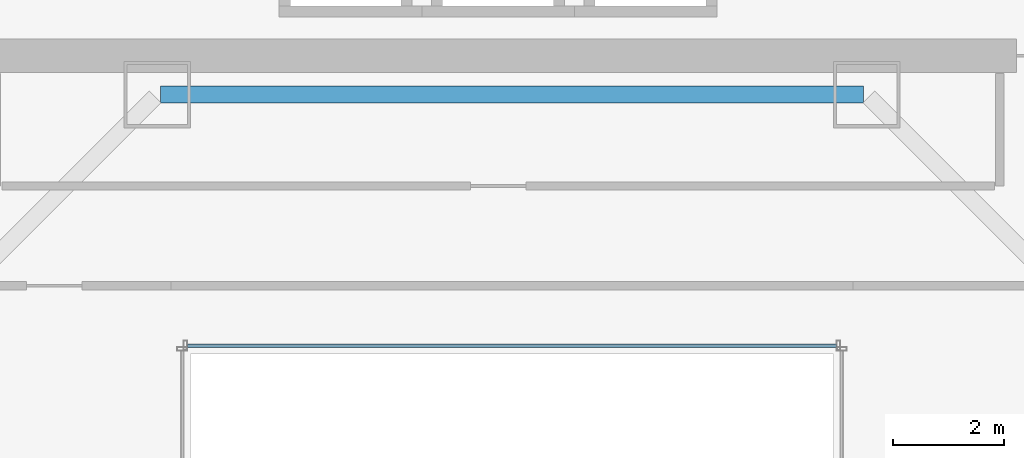
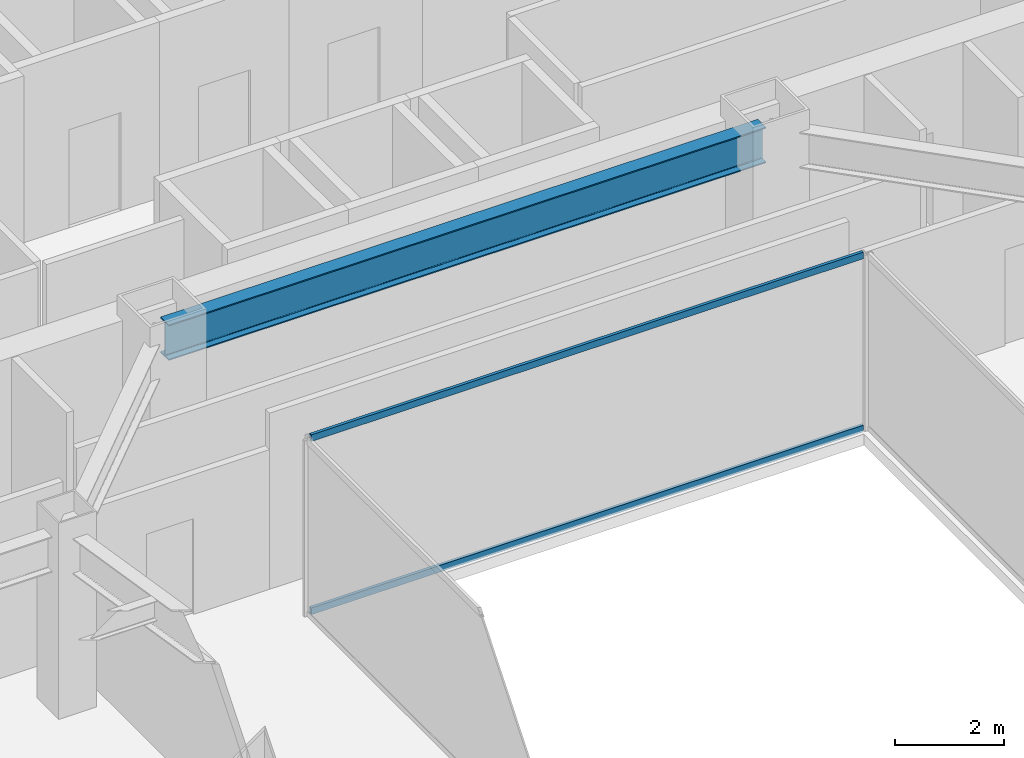
# One storey, part 25 of 47: 2 members, 1 beam, 1 element without a shape of its own.
"""IFC4 building model written with IfcOpenShell, lengths in metres."""

from ifc_helpers import new_model, si_unit, direction, frame, origin, origin_2d, place, context, subcontext, project, spatial, hollow_rectangle, i_section, extrude, material, material_profile, profile_set, type_object, element, aggregate, save


model = new_model("IFC4")

# Units and contexts
model_context = context("Model", 3, precision=1e-05, world=origin(), true_north=direction((0.0, 1.0)))
body_context = subcontext(model_context, "Body", "Model", "MODEL_VIEW")
ifc_project = project(units=[si_unit("LENGTHUNIT", "METRE"), si_unit("AREAUNIT", "SQUARE_METRE"), si_unit("VOLUMEUNIT", "CUBIC_METRE"), si_unit("PLANEANGLEUNIT", "RADIAN"), si_unit("MASSUNIT", "GRAM", prefix="KILO")], contexts=[model_context])

# Site, building, storey
site_placement = place(None, origin())
site = spatial("IfcSite", under=ifc_project, at=site_placement, CompositionType="ELEMENT")
building_placement = place(site_placement, origin())
building = spatial("IfcBuilding", under=site, at=building_placement, Name="Saevonmaru Cultural Tower", CompositionType="ELEMENT")
storey_placement = place(building_placement, frame((0.0, 0.0, 82.39990234375)))
storey = spatial("IfcBuildingStorey", under=building, at=storey_placement, Name="L17", CompositionType="ELEMENT", Elevation=82.39990234375)

# Beam
ifc_material_1 = material(Name="Steel SM420", Category="steel")
ifc_material_profile_1 = material_profile(ifc_material_1, i_section(OverallWidth=0.300048828125, OverallDepth=0.800048828125, WebThickness=0.013916015625, FlangeThickness=0.02587890625, FilletRadius=0.028076171875, at=origin_2d()), Name="H-800x300x14x26")
ifc_profile_set_1 = profile_set([ifc_material_profile_1], Name="Steel SM420")
beam_type = type_object("IfcBeamType", Name="BM-G-H800", PredefinedType="BEAM", material=ifc_profile_set_1)
beam_placement = place(storey_placement, frame((23.659912109375, 42.39990234375, 3.550048828125), z_axis=(1.0, 0.0, 0.0), x_axis=(0.0, 1.0, 0.0)))
element("IfcBeam", 1, at=beam_placement, inside=storey, type_object=beam_type, Name="L17 Core South Girder 3", PredefinedType="BEAM", context=body_context, shape_type="SweptSolid", body=[
    extrude(i_section(OverallWidth=0.300048828125, OverallDepth=0.800048828125, WebThickness=0.013916015625, FlangeThickness=0.02587890625, FilletRadius=0.028076171875, at=origin_2d()), origin(), (0.0, 0.0, 1.0), 12.68017578125),
])

# Curtain wall, members
ifc_material_2 = material(Name="Satin Bronze Anodised Aluminium", Category="aluminium")
curtain_wall_type = type_object("IfcCurtainWallType", Name="CW-ATR-GLZ", PredefinedType="NOTDEFINED", material=ifc_material_2)
curtain_wall_placement = place(storey_placement, origin())
curtain_wall = element("IfcCurtainWall", 2, at=curtain_wall_placement, inside=storey, type_object=curtain_wall_type, Name="L17 Vertical Atrium Glazed Smoke Screen 3", PredefinedType="NOTDEFINED")
ifc_material_profile_2 = material_profile(ifc_material_2, hollow_rectangle(XDim=0.06494140625, YDim=0.14990234375, WallThickness=0.00390625, at=origin_2d()), Name="ALU-TRAN-150x65x4")
ifc_profile_set_2 = profile_set([ifc_material_profile_2], Name="Satin Bronze Anodised Aluminium")
member_type = type_object("IfcMemberType", Name="TR-CW-INT-150x65", PredefinedType="USERDEFINED", material=ifc_profile_set_2)
member_1_placement = place(storey_placement, frame((35.857421875, 37.8701171875, 0.03271484375), z_axis=(-1.0, 0.0, 0.0), x_axis=(0.0, -1.0, 0.0)))
member_1 = element("IfcMember", 3, at=member_1_placement, type_object=member_type, Name="CW-ATR-L17-3 transom 1.1", ObjectType="TRANSOM", PredefinedType="USERDEFINED", context=body_context, shape_type="SweptSolid", body=[
    extrude(hollow_rectangle(XDim=0.06494140625, YDim=0.14990234375, WallThickness=0.00390625, at=origin_2d()), origin(), (0.0, 0.0, 1.0), 11.71484375),
])
member_2_placement = place(storey_placement, frame((35.857421875, 37.8701171875, 3.91748046875), z_axis=(-1.0, 0.0, 0.0), x_axis=(0.0, -1.0, 0.0)))
member_2 = element("IfcMember", 4, at=member_2_placement, type_object=member_type, Name="CW-ATR-L17-3 transom 1.2", ObjectType="TRANSOM", PredefinedType="USERDEFINED", context=body_context, shape_type="SweptSolid", body=[
    extrude(hollow_rectangle(XDim=0.06494140625, YDim=0.14990234375, WallThickness=0.00390625, at=origin_2d()), origin(), (0.0, 0.0, 1.0), 11.71484375),
])
aggregate(curtain_wall, [member_1, member_2])

save(model, "model.ifc")
